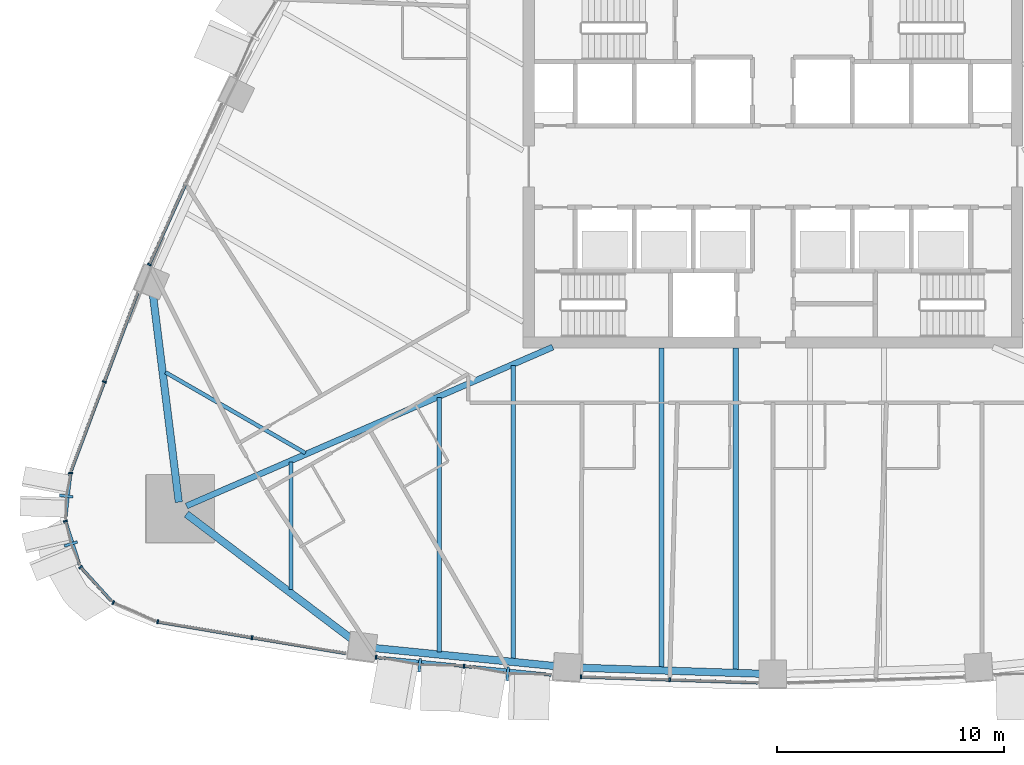
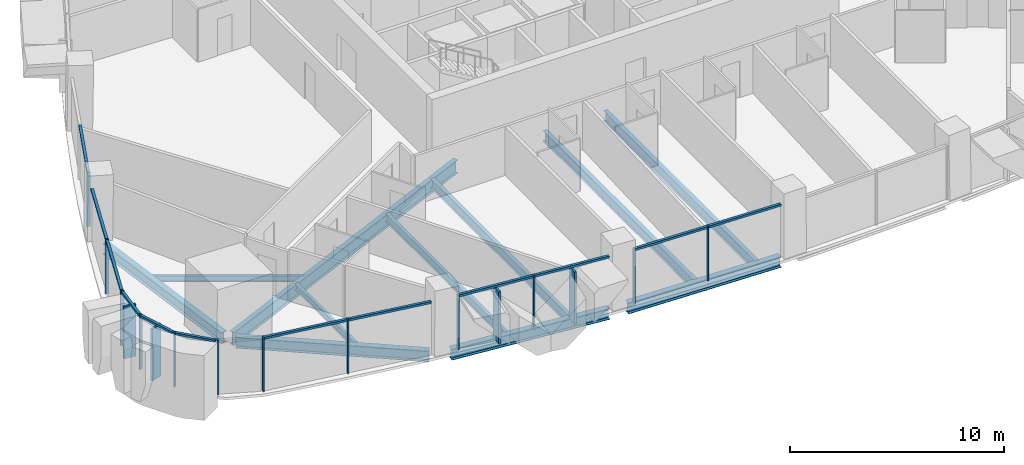
# One storey, part 2 of 18: 28 members, 11 beams, 9 elements without a shape of their own.
"""IFC4 building model written with IfcOpenShell, lengths in metres."""

from ifc_helpers import new_model, si_unit, direction, frame, origin, origin_2d, place, context, subcontext, project, spatial, rectangle, i_section, extrude, material, layer, layer_set, material_profile, profile_set, type_object, element, aggregate, save


model = new_model("IFC4")

# Units and contexts
model_context = context("Model", 3, precision=1e-05, world=origin(), true_north=direction((0.0, 1.0)))
body_context = subcontext(model_context, "Body", "Model", "MODEL_VIEW")
ifc_project = project(units=[si_unit("LENGTHUNIT", "METRE"), si_unit("AREAUNIT", "SQUARE_METRE"), si_unit("VOLUMEUNIT", "CUBIC_METRE"), si_unit("PLANEANGLEUNIT", "RADIAN"), si_unit("MASSUNIT", "GRAM", prefix="KILO")], contexts=[model_context])

# Site, building, storey
site_placement = place(None, origin())
site = spatial("IfcSite", under=ifc_project, at=site_placement, CompositionType="ELEMENT")
building_placement = place(site_placement, origin())
building = spatial("IfcBuilding", under=site, at=building_placement, Name="Sierra Prisma Convention Tower", CompositionType="ELEMENT")
storey_placement = place(building_placement, frame((0.0, 0.0, 85.0)))
storey = spatial("IfcBuildingStorey", under=building, at=storey_placement, Name="L17", CompositionType="ELEMENT", Elevation=85.0)

# Curtain wall, members
ifc_material_1 = material(Name="Aluminium and glass curtain wall", Category="aluminium")
ifc_layer_1 = layer(ifc_material_1, 0.179931640625)
ifc_layer_set_1 = layer_set([ifc_layer_1], Name="CW-2 Faceted crystal curtain wall")
curtain_wall_type_1 = type_object("IfcCurtainWallType", Name="CW-2 Faceted crystal curtain wall", PredefinedType="NOTDEFINED", material=ifc_layer_set_1)
curtain_wall_1_placement = place(storey_placement, origin())
curtain_wall_1 = element("IfcCurtainWall", 1, at=curtain_wall_1_placement, inside=storey, type_object=curtain_wall_type_1, Name="CW-2 S2 L17", PredefinedType="NOTDEFINED")
ifc_material_2 = material(Name="Aluminium 6063-T6 bronze anodised", Category="aluminium")
ifc_material_profile_1 = material_profile(ifc_material_2, rectangle(XDim=0.1201171875, YDim=0.60009765625, at=origin_2d()), Name="ALU RIDGE BLADE 120x600")
ifc_profile_set_1 = profile_set([ifc_material_profile_1], Name="Aluminium 6063-T6 bronze anodised")
member_type_1 = type_object("IfcMemberType", Name="CW hip bronze", PredefinedType="MULLION", material=ifc_profile_set_1)
member_1_placement = place(storey_placement, frame((-15.5439453125, -21.951904296875, 0.0), z_axis=(0.0, 0.0, 1.0), x_axis=(0.995049429577, -0.09938124923, 0.0)))
member_1 = element("IfcMember", 2, at=member_1_placement, type_object=member_type_1, Name="CW-2 ridge S2.1", PredefinedType="MULLION", context=body_context, shape_type="SweptSolid", body=[
    extrude(rectangle(XDim=0.1201171875, YDim=0.60009765625, at=origin_2d()), origin(), (0.0, 0.0, 1.0), 2.97998046875),
])
member_2_placement = place(storey_placement, frame((-11.673095703125, -22.338623046875, 0.0), z_axis=(0.0, 0.0, 1.0), x_axis=(0.995049429577, -0.09938124923, 0.0)))
member_2 = element("IfcMember", 3, at=member_2_placement, type_object=member_type_1, Name="CW-2 ridge S2.2", PredefinedType="MULLION", context=body_context, shape_type="SweptSolid", body=[
    extrude(rectangle(XDim=0.1201171875, YDim=0.60009765625, at=origin_2d()), origin(), (0.0, 0.0, 1.0), 2.97998046875),
])

# Curtain wall, member
curtain_wall_2_placement = place(storey_placement, origin())
curtain_wall_2 = element("IfcCurtainWall", 4, at=curtain_wall_2_placement, inside=storey, type_object=curtain_wall_type_1, Name="CW-2 SW1 L17", PredefinedType="NOTDEFINED")
member_3_placement = place(storey_placement, frame((-31.108154296875, -14.510498046875, 0.0), z_axis=(0.0, 0.0, 1.0), x_axis=(-0.112243994185, -0.993680675957, 0.0)))
member_3 = element("IfcMember", 5, at=member_3_placement, type_object=member_type_1, Name="CW-2 ridge SW1.1", PredefinedType="MULLION", context=body_context, shape_type="SweptSolid", body=[
    extrude(rectangle(XDim=0.1201171875, YDim=0.60009765625, at=origin_2d()), origin(), (0.0, 0.0, 1.0), 2.97998046875),
])

curtain_wall_3_placement = place(storey_placement, origin())
curtain_wall_3 = element("IfcCurtainWall", 6, at=curtain_wall_3_placement, inside=storey, type_object=curtain_wall_type_1, Name="CW-2 SW2 L17", PredefinedType="NOTDEFINED")
member_4_placement = place(storey_placement, frame((-30.897705078125, -16.61669921875, 0.0), z_axis=(0.0, 0.0, 1.0), x_axis=(0.306555493011, -0.951852787833, 0.0)))
member_4 = element("IfcMember", 7, at=member_4_placement, type_object=member_type_1, Name="CW-2 ridge SW2.1", PredefinedType="MULLION", context=body_context, shape_type="SweptSolid", body=[
    extrude(rectangle(XDim=0.1201171875, YDim=0.60009765625, at=origin_2d()), origin(), (0.0, 0.0, 1.0), 2.97998046875),
])

# Curtain wall, members
ifc_material_3 = material(Name="Aluminium and glass curtain wall", Category="aluminium")
ifc_layer_2 = layer(ifc_material_3, 0.179931640625)
ifc_layer_set_2 = layer_set([ifc_layer_2], Name="CW-1 Plain shaft curtain wall")
curtain_wall_type_2 = type_object("IfcCurtainWallType", Name="CW-1 Plain shaft curtain wall", PredefinedType="NOTDEFINED", material=ifc_layer_set_2)
curtain_wall_4_placement = place(storey_placement, origin())
curtain_wall_4 = element("IfcCurtainWall", 8, at=curtain_wall_4_placement, inside=storey, type_object=curtain_wall_type_2, Name="CW-1 S1 L17", PredefinedType="NOTDEFINED")
ifc_material_4 = material(Name="Aluminium 6063-T6 bronze anodised", Category="aluminium")
ifc_material_profile_2 = material_profile(ifc_material_4, rectangle(XDim=0.179931640625, YDim=0.070068359375, at=origin_2d()), Name="ALU MULLION 70x180")
ifc_profile_set_2 = profile_set([ifc_material_profile_2], Name="Aluminium 6063-T6 bronze anodised")
member_type_2 = type_object("IfcMemberType", Name="CW mullion bronze", PredefinedType="MULLION", material=ifc_profile_set_2)
member_5_placement = place(storey_placement, frame((-27.077880859375, -20.045166015625, 0.0), z_axis=(0.0, 0.0, 1.0), x_axis=(0.165149201073, 0.98626859495, 0.0)))
member_5 = element("IfcMember", 9, at=member_5_placement, type_object=member_type_2, Name="CW-1 mullion S1.1", PredefinedType="MULLION", context=body_context, shape_type="SweptSolid", body=[
    extrude(rectangle(XDim=0.179931640625, YDim=0.070068359375, at=origin_2d()), origin(), (0.0, 0.0, 1.0), 3.10009765625),
])
member_6_placement = place(storey_placement, frame((-22.9228515625, -20.74072265625, 0.0), z_axis=(0.0, 0.0, 1.0), x_axis=(0.165149201073, 0.98626859495, 0.0)))
member_6 = element("IfcMember", 10, at=member_6_placement, type_object=member_type_2, Name="CW-1 mullion S1.2", PredefinedType="MULLION", context=body_context, shape_type="SweptSolid", body=[
    extrude(rectangle(XDim=0.179931640625, YDim=0.070068359375, at=origin_2d()), origin(), (0.0, 0.0, 1.0), 3.10009765625),
])

# Member
member_7_placement = place(storey_placement, frame((-17.464599609375, -21.609130859375, 0.0), z_axis=(0.0, 0.0, 1.0), x_axis=(0.09938124923, 0.995049429577, 0.0)))
member_7 = element("IfcMember", 11, at=member_7_placement, type_object=member_type_2, Name="CW-1 mullion S2.1", PredefinedType="MULLION", context=body_context, shape_type="SweptSolid", body=[
    extrude(rectangle(XDim=0.179931640625, YDim=0.070068359375, at=origin_2d()), origin(), (0.0, 0.0, 1.0), 3.10009765625),
])

member_8_placement = place(storey_placement, frame((-13.593505859375, -21.99560546875, 0.0), z_axis=(0.0, 0.0, 1.0), x_axis=(0.09938124923, 0.995049429577, 0.0)))
member_8 = element("IfcMember", 12, at=member_8_placement, type_object=member_type_2, Name="CW-1 mullion S2.2", PredefinedType="MULLION", context=body_context, shape_type="SweptSolid", body=[
    extrude(rectangle(XDim=0.179931640625, YDim=0.070068359375, at=origin_2d()), origin(), (0.0, 0.0, 1.0), 3.10009765625),
])

# Curtain wall, members
curtain_wall_5_placement = place(storey_placement, origin())
curtain_wall_5 = element("IfcCurtainWall", 13, at=curtain_wall_5_placement, inside=storey, type_object=curtain_wall_type_2, Name="CW-1 S3 L17", PredefinedType="NOTDEFINED")
member_9_placement = place(storey_placement, frame((-8.443115234375, -22.466796875, 0.0), z_axis=(0.0, 0.0, 1.0), x_axis=(0.033175768817, 0.999449532675, 0.0)))
member_9 = element("IfcMember", 14, at=member_9_placement, type_object=member_type_2, Name="CW-1 mullion S3.1", PredefinedType="MULLION", context=body_context, shape_type="SweptSolid", body=[
    extrude(rectangle(XDim=0.179931640625, YDim=0.070068359375, at=origin_2d()), origin(), (0.0, 0.0, 1.0), 3.10009765625),
])
member_10_placement = place(storey_placement, frame((-4.538818359375, -22.596435546875, 0.0), z_axis=(0.0, 0.0, 1.0), x_axis=(0.033175768817, 0.999449532675, 0.0)))
member_10 = element("IfcMember", 15, at=member_10_placement, type_object=member_type_2, Name="CW-1 mullion S3.2", PredefinedType="MULLION", context=body_context, shape_type="SweptSolid", body=[
    extrude(rectangle(XDim=0.179931640625, YDim=0.070068359375, at=origin_2d()), origin(), (0.0, 0.0, 1.0), 3.10009765625),
])

# Curtain wall, member
curtain_wall_6_placement = place(storey_placement, origin())
curtain_wall_6 = element("IfcCurtainWall", 16, at=curtain_wall_6_placement, inside=storey, type_object=curtain_wall_type_2, Name="CW-1 NW5 L17", PredefinedType="NOTDEFINED")
member_11_placement = place(storey_placement, frame((-27.4462890625, -4.320068359375, 0.0), z_axis=(0.0, 0.0, 1.0), x_axis=(0.91142870865, -0.411458028296, 0.0)))
member_11 = element("IfcMember", 17, at=member_11_placement, type_object=member_type_2, Name="CW-1 mullion NW5.3", PredefinedType="MULLION", context=body_context, shape_type="SweptSolid", body=[
    extrude(rectangle(XDim=0.179931640625, YDim=0.070068359375, at=origin_2d()), origin(), (0.0, 0.0, 1.0), 3.10009765625),
])

curtain_wall_7_placement = place(storey_placement, origin())
curtain_wall_7 = element("IfcCurtainWall", 18, at=curtain_wall_7_placement, inside=storey, type_object=curtain_wall_type_2, Name="CW-1 NW6 L17", PredefinedType="NOTDEFINED")
member_12_placement = place(storey_placement, frame((-29.42333984375, -9.481201171875, 0.0), z_axis=(0.0, 0.0, 1.0), x_axis=(0.936708258718, -0.350110893931, 0.0)))
member_12 = element("IfcMember", 19, at=member_12_placement, type_object=member_type_2, Name="CW-1 mullion NW6.2", PredefinedType="MULLION", context=body_context, shape_type="SweptSolid", body=[
    extrude(rectangle(XDim=0.179931640625, YDim=0.070068359375, at=origin_2d()), origin(), (0.0, 0.0, 1.0), 3.10009765625),
])

# Member
member_13_placement = place(storey_placement, frame((-30.91455078125, -13.4951171875, 0.0), z_axis=(0.0, 0.0, 1.0), x_axis=(0.993680675957, -0.112243994185, 0.0)))
member_13 = element("IfcMember", 20, at=member_13_placement, type_object=member_type_2, Name="CW-1 mullion SW1.1", PredefinedType="MULLION", context=body_context, shape_type="SweptSolid", body=[
    extrude(rectangle(XDim=0.179931640625, YDim=0.070068359375, at=origin_2d()), origin(), (0.0, 0.0, 1.0), 3.10009765625),
])

member_14_placement = place(storey_placement, frame((-31.13916015625, -15.611572265625, 0.0), z_axis=(0.0, 0.0, 1.0), x_axis=(0.951852787833, 0.306555493011, 0.0)))
member_14 = element("IfcMember", 21, at=member_14_placement, type_object=member_type_2, Name="CW-1 mullion SW2.1", PredefinedType="MULLION", context=body_context, shape_type="SweptSolid", body=[
    extrude(rectangle(XDim=0.179931640625, YDim=0.070068359375, at=origin_2d()), origin(), (0.0, 0.0, 1.0), 3.10009765625),
])

# Curtain wall, member
curtain_wall_8_placement = place(storey_placement, origin())
curtain_wall_8 = element("IfcCurtainWall", 22, at=curtain_wall_8_placement, inside=storey, type_object=curtain_wall_type_2, Name="CW-1 SW3 L17", PredefinedType="NOTDEFINED")
member_15_placement = place(storey_placement, frame((-30.47314453125, -17.633056640625, 0.0), z_axis=(0.0, 0.0, 1.0), x_axis=(0.741411238533, 0.671050948421, 0.0)))
member_15 = element("IfcMember", 23, at=member_15_placement, type_object=member_type_2, Name="CW-1 mullion SW3.1", PredefinedType="MULLION", context=body_context, shape_type="SweptSolid", body=[
    extrude(rectangle(XDim=0.179931640625, YDim=0.070068359375, at=origin_2d()), origin(), (0.0, 0.0, 1.0), 3.10009765625),
])

curtain_wall_9_placement = place(storey_placement, origin())
curtain_wall_9 = element("IfcCurtainWall", 24, at=curtain_wall_9_placement, inside=storey, type_object=curtain_wall_type_2, Name="CW-1 SW4 L17", PredefinedType="NOTDEFINED")
member_16_placement = place(storey_placement, frame((-29.0341796875, -19.201416015625, 0.0), z_axis=(0.0, 0.0, 1.0), x_axis=(0.399634187592, 0.91667470572, 0.0)))
member_16 = element("IfcMember", 25, at=member_16_placement, type_object=member_type_2, Name="CW-1 mullion SW4.1", PredefinedType="MULLION", context=body_context, shape_type="SweptSolid", body=[
    extrude(rectangle(XDim=0.179931640625, YDim=0.070068359375, at=origin_2d()), origin(), (0.0, 0.0, 1.0), 3.10009765625),
])
aggregate(curtain_wall_9, [member_16])

# Member
ifc_material_5 = material(Name="Aluminium 6063-T6 bronze anodised", Category="aluminium")
ifc_material_profile_3 = material_profile(ifc_material_5, rectangle(XDim=0.139892578125, YDim=0.1201171875, at=origin_2d()), Name="ALU TRANSOM 120x140")
ifc_profile_set_3 = profile_set([ifc_material_profile_3], Name="Aluminium 6063-T6 bronze anodised")
member_type_3 = type_object("IfcMemberType", Name="CW transom bronze", PredefinedType="USERDEFINED", material=ifc_profile_set_3)
member_17_placement = place(storey_placement, frame((-27.043212890625, -20.05078125, 3.0400390625), z_axis=(0.986263009552, -0.165182553524, 0.0), x_axis=(0.165182553524, 0.986263009552, 0.0)))
member_17 = element("IfcMember", 26, at=member_17_placement, type_object=member_type_3, Name="CW-1 transom S1.1", ObjectType="TRANSOM", PredefinedType="USERDEFINED", context=body_context, shape_type="SweptSolid", body=[
    extrude(rectangle(XDim=0.139892578125, YDim=0.1201171875, at=origin_2d()), origin(), (0.0, 0.0, 1.0), 4.142822265625),
])

member_18_placement = place(storey_placement, frame((-22.88818359375, -20.74658203125, 3.0400390625), z_axis=(0.986263009552, -0.165182553524, 0.0), x_axis=(0.165182553524, 0.986263009552, 0.0)))
member_18 = element("IfcMember", 27, at=member_18_placement, type_object=member_type_3, Name="CW-1 transom S1.2", ObjectType="TRANSOM", PredefinedType="USERDEFINED", context=body_context, shape_type="SweptSolid", body=[
    extrude(rectangle(XDim=0.139892578125, YDim=0.1201171875, at=origin_2d()), origin(), (0.0, 0.0, 1.0), 4.142822265625),
])

aggregate(curtain_wall_4, [member_5, member_6, member_17, member_18])

member_19_placement = place(storey_placement, frame((-17.4296875, -21.612548828125, 3.0400390625), z_axis=(0.995049837241, -0.099377167432, 0.0), x_axis=(0.099377167432, 0.995049837241, 0.0)))
member_19 = element("IfcMember", 28, at=member_19_placement, type_object=member_type_3, Name="CW-1 transom S2.1", ObjectType="TRANSOM", PredefinedType="USERDEFINED", context=body_context, shape_type="SweptSolid", body=[
    extrude(rectangle(XDim=0.139892578125, YDim=0.1201171875, at=origin_2d()), origin(), (0.0, 0.0, 1.0), 3.820068359375),
])

member_20_placement = place(storey_placement, frame((-13.558837890625, -21.9990234375, 3.0400390625), z_axis=(0.995044147582, -0.099434120714, 0.0), x_axis=(0.099434120714, 0.995044147582, 0.0)))
member_20 = element("IfcMember", 29, at=member_20_placement, type_object=member_type_3, Name="CW-1 transom S2.2", ObjectType="TRANSOM", PredefinedType="USERDEFINED", context=body_context, shape_type="SweptSolid", body=[
    extrude(rectangle(XDim=0.139892578125, YDim=0.1201171875, at=origin_2d()), origin(), (0.0, 0.0, 1.0), 3.820556640625),
])

aggregate(curtain_wall_1, [member_7, member_8, member_19, member_1, member_20, member_2])

member_21_placement = place(storey_placement, frame((-8.408203125, -22.468017578125, 3.0400390625), z_axis=(0.999450191707, -0.033155908939, 0.0), x_axis=(0.033155908939, 0.999450191707, 0.0)))
member_21 = element("IfcMember", 30, at=member_21_placement, type_object=member_type_3, Name="CW-1 transom S3.1", ObjectType="TRANSOM", PredefinedType="USERDEFINED", context=body_context, shape_type="SweptSolid", body=[
    extrude(rectangle(XDim=0.139892578125, YDim=0.1201171875, at=origin_2d()), origin(), (0.0, 0.0, 1.0), 3.83642578125),
])

member_22_placement = place(storey_placement, frame((-4.50390625, -22.59765625, 3.0400390625), z_axis=(0.999450191707, -0.033155908939, 0.0), x_axis=(0.033155908939, 0.999450191707, 0.0)))
member_22 = element("IfcMember", 31, at=member_22_placement, type_object=member_type_3, Name="CW-1 transom S3.2", ObjectType="TRANSOM", PredefinedType="USERDEFINED", context=body_context, shape_type="SweptSolid", body=[
    extrude(rectangle(XDim=0.139892578125, YDim=0.1201171875, at=origin_2d()), origin(), (0.0, 0.0, 1.0), 3.83642578125),
])

aggregate(curtain_wall_5, [member_9, member_10, member_21, member_22])

member_23_placement = place(storey_placement, frame((-25.85986328125, -0.806396484375, 3.0400390625), z_axis=(-0.411485697734, -0.911416216972, 0.0), x_axis=(0.911416216972, -0.411485697734, 0.0)))
member_23 = element("IfcMember", 32, at=member_23_placement, type_object=member_type_3, Name="CW-1 transom NW5.2", ObjectType="TRANSOM", PredefinedType="USERDEFINED", context=body_context, shape_type="SweptSolid", body=[
    extrude(rectangle(XDim=0.139892578125, YDim=0.1201171875, at=origin_2d()), origin(), (0.0, 0.0, 1.0), 3.8203125),
])

aggregate(curtain_wall_6, [member_11, member_23])

member_24_placement = place(storey_placement, frame((-27.960693359375, -5.56787109375, 3.0400390625), z_axis=(-0.350109298948, -0.936708854869, 0.0), x_axis=(0.936708854869, -0.350109298948, 0.0)))
member_24 = element("IfcMember", 33, at=member_24_placement, type_object=member_type_3, Name="CW-1 transom NW6.1", ObjectType="TRANSOM", PredefinedType="USERDEFINED", context=body_context, shape_type="SweptSolid", body=[
    extrude(rectangle(XDim=0.139892578125, YDim=0.1201171875, at=origin_2d()), origin(), (0.0, 0.0, 1.0), 4.142822265625),
])

member_25_placement = place(storey_placement, frame((-29.435791015625, -9.51416015625, 3.0400390625), z_axis=(-0.350109298948, -0.936708854869, 0.0), x_axis=(0.936708854869, -0.350109298948, 0.0)))
member_25 = element("IfcMember", 34, at=member_25_placement, type_object=member_type_3, Name="CW-1 transom NW6.2", ObjectType="TRANSOM", PredefinedType="USERDEFINED", context=body_context, shape_type="SweptSolid", body=[
    extrude(rectangle(XDim=0.139892578125, YDim=0.1201171875, at=origin_2d()), origin(), (0.0, 0.0, 1.0), 4.142822265625),
])

aggregate(curtain_wall_7, [member_12, member_24, member_25])

member_26_placement = place(storey_placement, frame((-30.91845703125, -13.52978515625, 3.0400390625), z_axis=(-0.112288050797, -0.993675698429, 0.0), x_axis=(0.993675698429, -0.112288050797, 0.0)))
member_26 = element("IfcMember", 35, at=member_26_placement, type_object=member_type_3, Name="CW-1 transom SW1.1", ObjectType="TRANSOM", PredefinedType="USERDEFINED", context=body_context, shape_type="SweptSolid", body=[
    extrude(rectangle(XDim=0.139892578125, YDim=0.1201171875, at=origin_2d()), origin(), (0.0, 0.0, 1.0), 1.99169921875),
])

aggregate(curtain_wall_2, [member_13, member_26, member_3])

member_27_placement = place(storey_placement, frame((-31.12841796875, -15.64501953125, 3.0400390625), z_axis=(0.306501242337, -0.9518702582, 0.0), x_axis=(0.9518702582, 0.306501242337, 0.0)))
member_27 = element("IfcMember", 36, at=member_27_placement, type_object=member_type_3, Name="CW-1 transom SW2.1", ObjectType="TRANSOM", PredefinedType="USERDEFINED", context=body_context, shape_type="SweptSolid", body=[
    extrude(rectangle(XDim=0.139892578125, YDim=0.1201171875, at=origin_2d()), origin(), (0.0, 0.0, 1.0), 1.991455078125),
])

aggregate(curtain_wall_3, [member_14, member_27, member_4])

member_28_placement = place(storey_placement, frame((-30.449462890625, -17.6591796875, 3.0400390625), z_axis=(0.671041732824, -0.741419579461, 0.0), x_axis=(0.741419579461, 0.671041732824, 0.0)))
member_28 = element("IfcMember", 37, at=member_28_placement, type_object=member_type_3, Name="CW-1 transom SW3.1", ObjectType="TRANSOM", PredefinedType="USERDEFINED", context=body_context, shape_type="SweptSolid", body=[
    extrude(rectangle(XDim=0.139892578125, YDim=0.1201171875, at=origin_2d()), origin(), (0.0, 0.0, 1.0), 1.9912109375),
])

aggregate(curtain_wall_8, [member_15, member_28])

# Beams
ifc_material_6 = material(Name="Steel ASTM A992 Gr 50", Category="steel")
ifc_material_profile_4 = material_profile(ifc_material_6, i_section(OverallWidth=0.172119140625, OverallDepth=0.35791015625, WebThickness=0.0078125, FlangeThickness=0.01318359375, at=origin_2d()), Name="W360x57")
ifc_profile_set_4 = profile_set([ifc_material_profile_4], Name="Steel ASTM A992 Gr 50")
beam_type_1 = type_object("IfcBeamType", Name="Floor joist W360x57", PredefinedType="JOIST", material=ifc_profile_set_4)
beam_1_placement = place(storey_placement, frame((-21.21484375, -18.62548828125, -0.3291015625), z_axis=(0.0, 1.0, 0.0), x_axis=(-1.0, 0.0, 0.0)))
element("IfcBeam", 38, at=beam_1_placement, inside=storey, type_object=beam_type_1, Name="Floor joist L17 S02", PredefinedType="JOIST", context=body_context, shape_type="SweptSolid", body=[
    extrude(i_section(OverallWidth=0.172119140625, OverallDepth=0.35791015625, WebThickness=0.0078125, FlangeThickness=0.01318359375, at=origin_2d()), origin(), (0.0, 0.0, 1.0), 5.6162109375),
])
beam_2_placement = place(storey_placement, frame((-26.73779296875, -9.059814453125, -0.3291015625), z_axis=(0.866016993445, -0.500014566852, 0.0), x_axis=(0.500014566852, 0.866016993445, 0.0)))
element("IfcBeam", 39, at=beam_2_placement, inside=storey, type_object=beam_type_1, Name="Floor joist L17 NW15", PredefinedType="JOIST", context=body_context, shape_type="SweptSolid", body=[
    extrude(i_section(OverallWidth=0.172119140625, OverallDepth=0.35791015625, WebThickness=0.0078125, FlangeThickness=0.01318359375, at=origin_2d()), origin(), (0.0, 0.0, 1.0), 7.114013671875),
])
ifc_material_7 = material(Name="Steel ASTM A992 Gr 50", Category="steel")
ifc_material_profile_5 = material_profile(ifc_material_7, i_section(OverallWidth=0.18994140625, OverallDepth=0.45703125, WebThickness=0.009033203125, FlangeThickness=0.014404296875, at=origin_2d()), Name="W460x74")
ifc_profile_set_5 = profile_set([ifc_material_profile_5], Name="Steel ASTM A992 Gr 50")
beam_type_2 = type_object("IfcBeamType", Name="Floor joist W460x74", PredefinedType="JOIST", material=ifc_profile_set_5)
beam_3_placement = place(storey_placement, frame((-14.687255859375, -21.371337890625, -0.37841796875), z_axis=(0.0, 1.0, 0.0), x_axis=(-1.0, 0.0, 0.0)))
element("IfcBeam", 40, at=beam_3_placement, inside=storey, type_object=beam_type_2, Name="Floor joist L17 S04", PredefinedType="JOIST", context=body_context, shape_type="SweptSolid", body=[
    extrude(i_section(OverallWidth=0.18994140625, OverallDepth=0.45703125, WebThickness=0.009033203125, FlangeThickness=0.014404296875, at=origin_2d()), origin(), (0.0, 0.0, 1.0), 11.193603515625),
])
ifc_material_8 = material(Name="Steel ASTM A992 Gr 50", Category="steel")
ifc_material_profile_6 = material_profile(ifc_material_8, i_section(OverallWidth=0.208984375, OverallDepth=0.532958984375, WebThickness=0.01025390625, FlangeThickness=0.015625, at=origin_2d()), Name="W530x92")
ifc_profile_set_6 = profile_set([ifc_material_profile_6], Name="Steel ASTM A992 Gr 50")
beam_type_3 = type_object("IfcBeamType", Name="Floor joist W530x92", PredefinedType="JOIST", material=ifc_profile_set_6)
beam_4_placement = place(storey_placement, frame((-11.42333984375, -21.697265625, -0.41650390625), z_axis=(0.0, 1.0, 0.0), x_axis=(-1.0, 0.0, 0.0)))
element("IfcBeam", 41, at=beam_4_placement, inside=storey, type_object=beam_type_3, Name="Floor joist L17 S05", PredefinedType="JOIST", context=body_context, shape_type="SweptSolid", body=[
    extrude(i_section(OverallWidth=0.208984375, OverallDepth=0.532958984375, WebThickness=0.01025390625, FlangeThickness=0.015625, at=origin_2d()), origin(), (0.0, 0.0, 1.0), 12.935302734375),
])
ifc_material_9 = material(Name="Steel ASTM A992 Gr 50", Category="steel")
ifc_material_profile_7 = material_profile(ifc_material_9, i_section(OverallWidth=0.22802734375, OverallDepth=0.60302734375, WebThickness=0.010498046875, FlangeThickness=0.014892578125, at=origin_2d()), Name="W610x101")
ifc_profile_set_7 = profile_set([ifc_material_profile_7], Name="Steel ASTM A992 Gr 50")
beam_type_4 = type_object("IfcBeamType", Name="Floor joist W610x101", PredefinedType="JOIST", material=ifc_profile_set_7)
beam_5_placement = place(storey_placement, frame((-4.895751953125, -22.072021484375, -0.451416015625), z_axis=(0.0, 1.0, 0.0), x_axis=(-1.0, 0.0, 0.0)))
element("IfcBeam", 42, at=beam_5_placement, inside=storey, type_object=beam_type_4, Name="Floor joist L17 S07", PredefinedType="JOIST", context=body_context, shape_type="SweptSolid", body=[
    extrude(i_section(OverallWidth=0.22802734375, OverallDepth=0.60302734375, WebThickness=0.010498046875, FlangeThickness=0.014892578125, at=origin_2d()), origin(), (0.0, 0.0, 1.0), 14.072021484375),
])
beam_6_placement = place(storey_placement, frame((-1.6318359375, -22.180419921875, -0.451416015625), z_axis=(0.0, 1.0, 0.0), x_axis=(-1.0, 0.0, 0.0)))
element("IfcBeam", 43, at=beam_6_placement, inside=storey, type_object=beam_type_4, Name="Floor joist L17 S08", PredefinedType="JOIST", context=body_context, shape_type="SweptSolid", body=[
    extrude(i_section(OverallWidth=0.22802734375, OverallDepth=0.60302734375, WebThickness=0.010498046875, FlangeThickness=0.014892578125, at=origin_2d()), origin(), (0.0, 0.0, 1.0), 14.180419921875),
])
ifc_material_10 = material(Name="Steel ASTM A992 Gr 50", Category="steel")
ifc_material_profile_8 = material_profile(ifc_material_10, i_section(OverallWidth=0.264892578125, OverallDepth=0.7529296875, WebThickness=0.01318359375, FlangeThickness=0.01708984375, at=origin_2d()), Name="W760x147")
ifc_profile_set_8 = profile_set([ifc_material_profile_8], Name="Steel ASTM A992 Gr 50")
beam_type_5 = type_object("IfcBeamType", Name="Radial girder W760x147", PredefinedType="BEAM", material=ifc_profile_set_8)
beam_7_placement = place(storey_placement, frame((-25.810791015625, -14.94482421875, -0.526611328125), z_axis=(0.917410766511, 0.397941560395, 0.0), x_axis=(-0.397941560395, 0.917410766511, 0.0)))
element("IfcBeam", 44, at=beam_7_placement, inside=storey, type_object=beam_type_5, Name="Radial girder L17 SW", PredefinedType="BEAM", context=body_context, shape_type="SweptSolid", body=[
    extrude(i_section(OverallWidth=0.264892578125, OverallDepth=0.7529296875, WebThickness=0.01318359375, FlangeThickness=0.01708984375, at=origin_2d()), origin(), (0.0, 0.0, 1.0), 17.572021484375),
])
ifc_material_11 = material(Name="Steel ASTM A992 Gr 50", Category="steel")
ifc_material_profile_9 = material_profile(ifc_material_11, i_section(OverallWidth=0.324951171875, OverallDepth=0.615966796875, WebThickness=0.013916015625, FlangeThickness=0.021484375, at=origin_2d()), Name="W610x174")
ifc_profile_set_9 = profile_set([ifc_material_profile_9], Name="Steel ASTM A992 Gr 50")
beam_type_6 = type_object("IfcBeamType", Name="Spandrel beam W610x174", PredefinedType="BEAM", material=ifc_profile_set_9)
beam_8_placement = place(storey_placement, frame((-25.810791015625, -15.302001953125, -0.4580078125), z_axis=(0.797450276439, -0.603384667195, 0.0), x_axis=(0.603384667195, 0.797450276439, 0.0)))
element("IfcBeam", 45, at=beam_8_placement, inside=storey, type_object=beam_type_6, Name="Spandrel L17-01", PredefinedType="BEAM", context=body_context, shape_type="SweptSolid", body=[
    extrude(i_section(OverallWidth=0.324951171875, OverallDepth=0.615966796875, WebThickness=0.013916015625, FlangeThickness=0.021484375, at=origin_2d()), origin(), (0.0, 0.0, 1.0), 9.114501953125),
])
beam_9_placement = place(storey_placement, frame((-17.610595703125, -21.192626953125, -0.4580078125), z_axis=(0.995048511972, -0.099390436275, 0.0), x_axis=(0.099390436275, 0.995048511972, 0.0)))
element("IfcBeam", 46, at=beam_9_placement, inside=storey, type_object=beam_type_6, Name="Spandrel L17-02", PredefinedType="BEAM", context=body_context, shape_type="SweptSolid", body=[
    extrude(i_section(OverallWidth=0.324951171875, OverallDepth=0.615966796875, WebThickness=0.013916015625, FlangeThickness=0.021484375, at=origin_2d()), origin(), (0.0, 0.0, 1.0), 8.1083984375),
])
beam_10_placement = place(storey_placement, frame((-8.584228515625, -22.062255859375, -0.4580078125), z_axis=(0.999450407049, -0.033149417025, 0.0), x_axis=(0.033149417025, 0.999450407049, 0.0)))
element("IfcBeam", 47, at=beam_10_placement, inside=storey, type_object=beam_type_6, Name="Spandrel L17-03", PredefinedType="BEAM", context=body_context, shape_type="SweptSolid", body=[
    extrude(i_section(OverallWidth=0.324951171875, OverallDepth=0.615966796875, WebThickness=0.013916015625, FlangeThickness=0.021484375, at=origin_2d()), origin(), (0.0, 0.0, 1.0), 8.108642578125),
])
beam_11_placement = place(storey_placement, frame((-27.285888671875, -5.65771484375, -0.4580078125), z_axis=(0.123822161509, -0.992304425224, 0.0), x_axis=(0.992304425224, 0.123822161509, 0.0)))
element("IfcBeam", 48, at=beam_11_placement, inside=storey, type_object=beam_type_6, Name="Spandrel L17-18", PredefinedType="BEAM", context=body_context, shape_type="SweptSolid", body=[
    extrude(i_section(OverallWidth=0.324951171875, OverallDepth=0.615966796875, WebThickness=0.013916015625, FlangeThickness=0.021484375, at=origin_2d()), origin(), (0.0, 0.0, 1.0), 9.188232421875),
])

save(model, "model.ifc")
